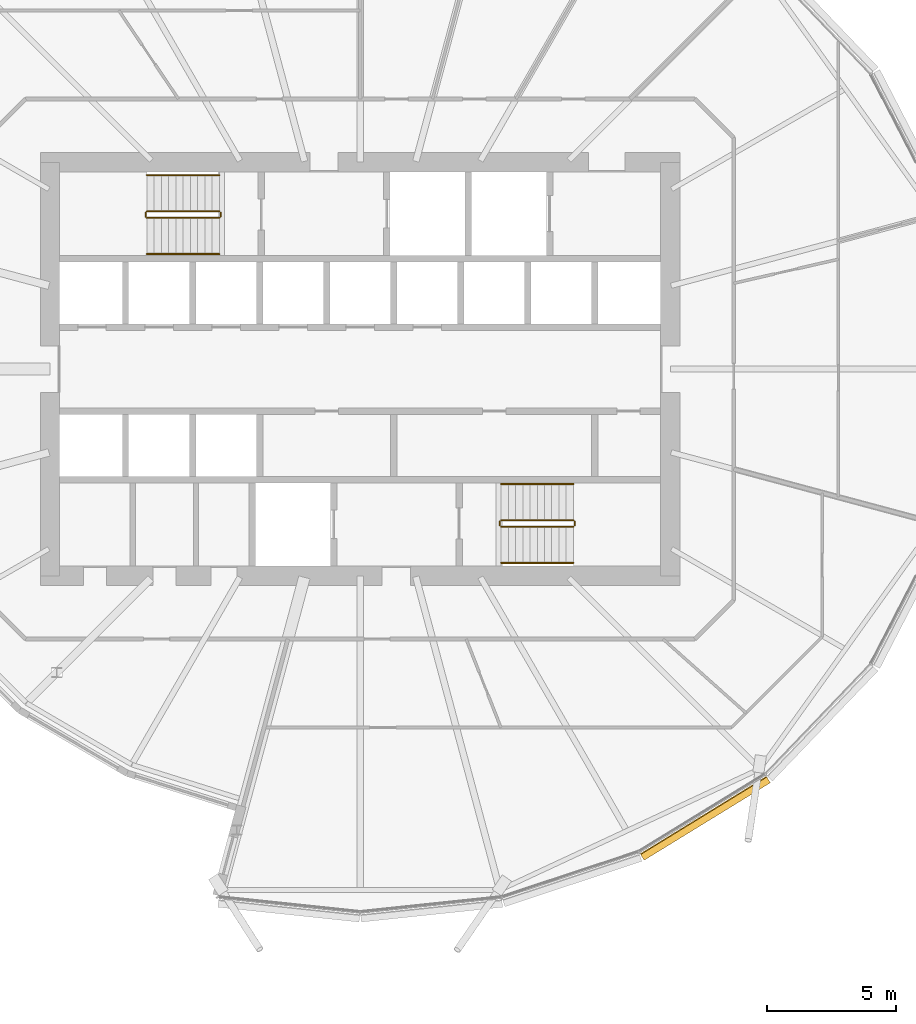
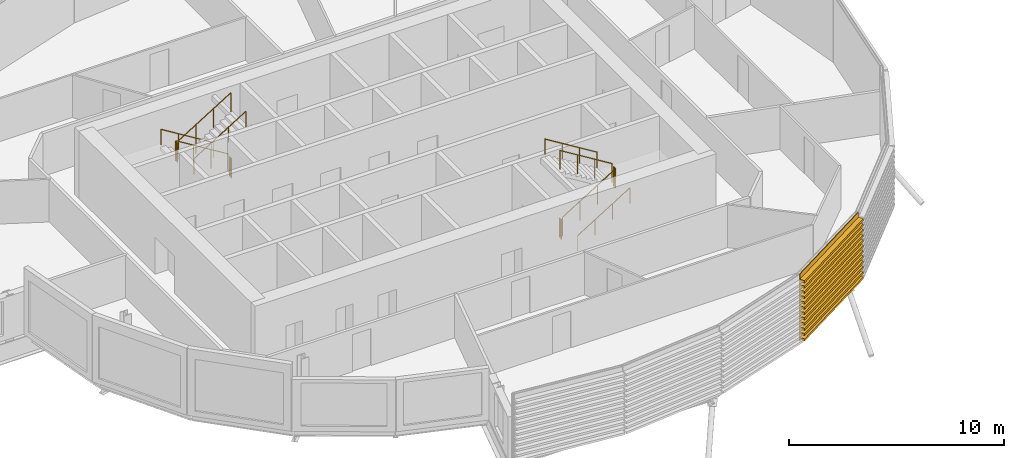
# One storey, part 35 of 39: 12 railings, 1 covering.
"""IFC4 building model written with IfcOpenShell, lengths in metres."""

from ifc_helpers import new_model, si_unit, direction, frame, origin, origin_2d, place, context, subcontext, project, spatial, polyline, circle, outline, extrude, material, material_profile, profile_set, type_object, element, save


model = new_model("IFC4")

# Units and contexts
model_context = context("Model", 3, precision=1e-05, world=origin(), true_north=direction((0.0, 1.0)))
body_context = subcontext(model_context, "Body", "Model", "MODEL_VIEW")
ifc_project = project(units=[si_unit("LENGTHUNIT", "METRE"), si_unit("AREAUNIT", "SQUARE_METRE"), si_unit("VOLUMEUNIT", "CUBIC_METRE"), si_unit("PLANEANGLEUNIT", "RADIAN"), si_unit("MASSUNIT", "GRAM", prefix="KILO")], contexts=[model_context])

# Site, building, storey
site_placement = place(None, origin())
site = spatial("IfcSite", under=ifc_project, at=site_placement, CompositionType="ELEMENT")
building_placement = place(site_placement, origin())
building = spatial("IfcBuilding", under=site, at=building_placement, Name="Rimbun Link Towers", CompositionType="ELEMENT")
storey_placement = place(building_placement, frame((0.0, 0.0, 100.60009765625)))
storey = spatial("IfcBuildingStorey", under=building, at=storey_placement, Name="L24", CompositionType="ELEMENT", Elevation=100.60009765625)

# Railings
ifc_material_1 = material(Name="Stainless steel grade 316", Category="steel")
railing_type_1 = type_object("IfcRailingType", Name="Stair guard", PredefinedType="GUARDRAIL", material=ifc_material_1)
railing_1_placement = place(storey_placement, frame((-37.199951171875, 6.10009765625, 0.172607421875)))
element("IfcRailing", 1, at=railing_1_placement, inside=storey, type_object=railing_type_1, Name="L24 ST1 stair guard 1", PredefinedType="GUARDRAIL", context=body_context, shape_type="SweptSolid", body=[
    extrude(circle(Radius=0.02392578125, at=origin_2d()), frame((0.0, 0.0, 1.076171875), z_axis=(-0.851089632645, 0.0, 0.525020415988), x_axis=(0.0, -1.0, 0.0)), (0.0, 0.0, 1.0), 3.2900390625),
    extrude(circle(Radius=0.02099609375, at=origin_2d()), origin(), (0.0, 0.0, 1.0), 1.052001953125),
    extrude(circle(Radius=0.02099609375, at=origin_2d()), frame((-0.933349609375, 0.0, 0.57568359375)), (0.0, 0.0, 1.0), 1.052001953125),
    extrude(circle(Radius=0.02099609375, at=origin_2d()), frame((-1.86669921875, 0.0, 1.151611328125)), (0.0, 0.0, 1.0), 1.052001953125),
    extrude(circle(Radius=0.02099609375, at=origin_2d()), frame((-2.800048828125, 0.0, 1.727294921875)), (0.0, 0.0, 1.0), 1.052001953125),
])
railing_2_placement = place(storey_placement, frame((-40.050048828125, 6.050048828125, 1.89990234375)))
element("IfcRailing", 2, at=railing_2_placement, inside=storey, type_object=railing_type_1, Name="L24 ST1 stair guard 2", PredefinedType="GUARDRAIL", context=body_context, shape_type="SweptSolid", body=[
    extrude(circle(Radius=0.02392578125, at=origin_2d()), frame((0.0, 0.0, 1.076171875), z_axis=(0.0, -1.0, 0.0), x_axis=(1.0, 0.0, 0.0)), (0.0, 0.0, 1.0), 0.150146484375),
    extrude(circle(Radius=0.02099609375, at=origin_2d()), origin(), (0.0, 0.0, 1.0), 1.052001953125),
    extrude(circle(Radius=0.02099609375, at=origin_2d()), frame((0.0, -0.150146484375, 0.0)), (0.0, 0.0, 1.0), 1.052001953125),
])
railing_3_placement = place(storey_placement, frame((-40.0, 5.85009765625, 2.072509765625)))
element("IfcRailing", 3, at=railing_3_placement, inside=storey, type_object=railing_type_1, Name="L24 ST1 stair guard 3", PredefinedType="GUARDRAIL", context=body_context, shape_type="SweptSolid", body=[
    extrude(circle(Radius=0.02392578125, at=origin_2d()), frame((0.0, 0.0, 1.076171875), z_axis=(0.851089632645, 0.0, 0.525020415988), x_axis=(0.0, 1.0, 0.0)), (0.0, 0.0, 1.0), 3.2900390625),
    extrude(circle(Radius=0.02099609375, at=origin_2d()), origin(), (0.0, 0.0, 1.0), 1.052001953125),
    extrude(circle(Radius=0.02099609375, at=origin_2d()), frame((0.933349609375, 0.0, 0.57568359375)), (0.0, 0.0, 1.0), 1.052001953125),
    extrude(circle(Radius=0.02099609375, at=origin_2d()), frame((1.86669921875, 0.0, 1.151611328125)), (0.0, 0.0, 1.0), 1.052001953125),
    extrude(circle(Radius=0.02099609375, at=origin_2d()), frame((2.800048828125, 0.0, 1.727294921875)), (0.0, 0.0, 1.0), 1.052001953125),
])
railing_4_placement = place(storey_placement, frame((-37.14990234375, 6.050048828125, 0.0)))
element("IfcRailing", 4, at=railing_4_placement, inside=storey, type_object=railing_type_1, Name="L24 ST1 stair guard 4", PredefinedType="GUARDRAIL", context=body_context, shape_type="SweptSolid", body=[
    extrude(circle(Radius=0.02392578125, at=origin_2d()), frame((0.0, 0.0, 1.076171875), z_axis=(0.0, -1.0, 0.0), x_axis=(1.0, 0.0, 0.0)), (0.0, 0.0, 1.0), 0.150146484375),
    extrude(circle(Radius=0.02099609375, at=origin_2d()), origin(), (0.0, 0.0, 1.0), 1.052001953125),
    extrude(circle(Radius=0.02099609375, at=origin_2d()), frame((0.0, -0.150146484375, 0.0)), (0.0, 0.0, 1.0), 1.052001953125),
])
railing_5_placement = place(storey_placement, frame((-26.300048828125, -6.10009765625, 0.172607421875)))
element("IfcRailing", 5, at=railing_5_placement, inside=storey, type_object=railing_type_1, Name="L24 ST2 stair guard 1", PredefinedType="GUARDRAIL", context=body_context, shape_type="SweptSolid", body=[
    extrude(circle(Radius=0.02392578125, at=origin_2d()), frame((0.0, 0.0, 1.076171875), z_axis=(0.851089632645, 0.0, 0.525020415988), x_axis=(0.0, 1.0, 0.0)), (0.0, 0.0, 1.0), 3.2900390625),
    extrude(circle(Radius=0.02099609375, at=origin_2d()), origin(), (0.0, 0.0, 1.0), 1.052001953125),
    extrude(circle(Radius=0.02099609375, at=origin_2d()), frame((0.933349609375, 0.0, 0.57568359375)), (0.0, 0.0, 1.0), 1.052001953125),
    extrude(circle(Radius=0.02099609375, at=origin_2d()), frame((1.86669921875, 0.0, 1.151611328125)), (0.0, 0.0, 1.0), 1.052001953125),
    extrude(circle(Radius=0.02099609375, at=origin_2d()), frame((2.800048828125, 0.0, 1.727294921875)), (0.0, 0.0, 1.0), 1.052001953125),
])
railing_6_placement = place(storey_placement, frame((-23.449951171875, -6.050048828125, 1.89990234375)))
element("IfcRailing", 6, at=railing_6_placement, inside=storey, type_object=railing_type_1, Name="L24 ST2 stair guard 2", PredefinedType="GUARDRAIL", context=body_context, shape_type="SweptSolid", body=[
    extrude(circle(Radius=0.02392578125, at=origin_2d()), frame((0.0, 0.0, 1.076171875), z_axis=(0.0, 1.0, 0.0), x_axis=(-1.0, 0.0, 0.0)), (0.0, 0.0, 1.0), 0.150146484375),
    extrude(circle(Radius=0.02099609375, at=origin_2d()), origin(), (0.0, 0.0, 1.0), 1.052001953125),
    extrude(circle(Radius=0.02099609375, at=origin_2d()), frame((0.0, 0.150146484375, 0.0)), (0.0, 0.0, 1.0), 1.052001953125),
])
railing_7_placement = place(storey_placement, frame((-23.5, -5.85009765625, 2.072509765625)))
element("IfcRailing", 7, at=railing_7_placement, inside=storey, type_object=railing_type_1, Name="L24 ST2 stair guard 3", PredefinedType="GUARDRAIL", context=body_context, shape_type="SweptSolid", body=[
    extrude(circle(Radius=0.02392578125, at=origin_2d()), frame((0.0, 0.0, 1.076171875), z_axis=(-0.851089632645, 0.0, 0.525020415988), x_axis=(0.0, -1.0, 0.0)), (0.0, 0.0, 1.0), 3.2900390625),
    extrude(circle(Radius=0.02099609375, at=origin_2d()), origin(), (0.0, 0.0, 1.0), 1.052001953125),
    extrude(circle(Radius=0.02099609375, at=origin_2d()), frame((-0.933349609375, 0.0, 0.57568359375)), (0.0, 0.0, 1.0), 1.052001953125),
    extrude(circle(Radius=0.02099609375, at=origin_2d()), frame((-1.86669921875, 0.0, 1.151611328125)), (0.0, 0.0, 1.0), 1.052001953125),
    extrude(circle(Radius=0.02099609375, at=origin_2d()), frame((-2.800048828125, 0.0, 1.727294921875)), (0.0, 0.0, 1.0), 1.052001953125),
])
railing_8_placement = place(storey_placement, frame((-26.35009765625, -6.050048828125, 0.0)))
element("IfcRailing", 8, at=railing_8_placement, inside=storey, type_object=railing_type_1, Name="L24 ST2 stair guard 4", PredefinedType="GUARDRAIL", context=body_context, shape_type="SweptSolid", body=[
    extrude(circle(Radius=0.02392578125, at=origin_2d()), frame((0.0, 0.0, 1.076171875), z_axis=(0.0, 1.0, 0.0), x_axis=(-1.0, 0.0, 0.0)), (0.0, 0.0, 1.0), 0.150146484375),
    extrude(circle(Radius=0.02099609375, at=origin_2d()), origin(), (0.0, 0.0, 1.0), 1.052001953125),
    extrude(circle(Radius=0.02099609375, at=origin_2d()), frame((0.0, 0.150146484375, 0.0)), (0.0, 0.0, 1.0), 1.052001953125),
])
ifc_material_2 = material(Name="Stainless steel grade 316", Category="steel")
railing_type_2 = type_object("IfcRailingType", Name="Stair handrail", PredefinedType="HANDRAIL", material=ifc_material_2)
railing_9_placement = place(storey_placement, frame((-37.199951171875, 7.5, 0.172607421875)))
element("IfcRailing", 9, at=railing_9_placement, inside=storey, type_object=railing_type_2, Name="L24 ST1 stair handrail 1", PredefinedType="HANDRAIL", context=body_context, shape_type="SweptSolid", body=[
    extrude(circle(Radius=0.02392578125, at=origin_2d()), frame((0.0, 0.0, 0.8759765625), z_axis=(-0.851089632645, 0.0, 0.525020415988), x_axis=(0.0, -1.0, 0.0)), (0.0, 0.0, 1.0), 3.2900390625),
    extrude(circle(Radius=0.02099609375, at=origin_2d()), origin(), (0.0, 0.0, 1.0), 0.851806640625),
    extrude(circle(Radius=0.02099609375, at=origin_2d()), frame((-0.933349609375, 0.0, 0.57568359375)), (0.0, 0.0, 1.0), 0.851806640625),
    extrude(circle(Radius=0.02099609375, at=origin_2d()), frame((-1.86669921875, 0.0, 1.151611328125)), (0.0, 0.0, 1.0), 0.851806640625),
    extrude(circle(Radius=0.02099609375, at=origin_2d()), frame((-2.800048828125, 0.0, 1.727294921875)), (0.0, 0.0, 1.0), 0.851806640625),
])
for number, where, name in (
    (10, (-40.0, 4.449951171875, 2.072509765625), "L24 ST1 stair handrail 2"),
    (11, (-26.300048828125, -7.5, 0.172607421875), "L24 ST2 stair handrail 1"),
):
    element("IfcRailing", number, at=place(storey_placement, frame(where)), inside=storey, type_object=railing_type_2, Name=name, PredefinedType="HANDRAIL", context=body_context, shape_type="SweptSolid", body=[
        extrude(circle(Radius=0.02392578125, at=origin_2d()), frame((0.0, 0.0, 0.8759765625), z_axis=(0.851089632645, 0.0, 0.525020415988), x_axis=(0.0, 1.0, 0.0)), (0.0, 0.0, 1.0), 3.2900390625),
        extrude(circle(Radius=0.02099609375, at=origin_2d()), origin(), (0.0, 0.0, 1.0), 0.851806640625),
        extrude(circle(Radius=0.02099609375, at=origin_2d()), frame((0.933349609375, 0.0, 0.57568359375)), (0.0, 0.0, 1.0), 0.851806640625),
        extrude(circle(Radius=0.02099609375, at=origin_2d()), frame((1.86669921875, 0.0, 1.151611328125)), (0.0, 0.0, 1.0), 0.851806640625),
        extrude(circle(Radius=0.02099609375, at=origin_2d()), frame((2.800048828125, 0.0, 1.727294921875)), (0.0, 0.0, 1.0), 0.851806640625),
    ])
railing_10_placement = place(storey_placement, frame((-23.5, -4.449951171875, 2.072509765625)))
element("IfcRailing", 12, at=railing_10_placement, inside=storey, type_object=railing_type_2, Name="L24 ST2 stair handrail 2", PredefinedType="HANDRAIL", context=body_context, shape_type="SweptSolid", body=[
    extrude(circle(Radius=0.02392578125, at=origin_2d()), frame((0.0, 0.0, 0.8759765625), z_axis=(-0.851089632645, 0.0, 0.525020415988), x_axis=(0.0, -1.0, 0.0)), (0.0, 0.0, 1.0), 3.2900390625),
    extrude(circle(Radius=0.02099609375, at=origin_2d()), origin(), (0.0, 0.0, 1.0), 0.851806640625),
    extrude(circle(Radius=0.02099609375, at=origin_2d()), frame((-0.933349609375, 0.0, 0.57568359375)), (0.0, 0.0, 1.0), 0.851806640625),
    extrude(circle(Radius=0.02099609375, at=origin_2d()), frame((-1.86669921875, 0.0, 1.151611328125)), (0.0, 0.0, 1.0), 0.851806640625),
    extrude(circle(Radius=0.02099609375, at=origin_2d()), frame((-2.800048828125, 0.0, 1.727294921875)), (0.0, 0.0, 1.0), 0.851806640625),
])

# Covering
ifc_material_3 = material(Name="Terracotta", Category="masonry")
ifc_material_profile = material_profile(ifc_material_3, outline(polyline([(0.123046875, 0.0), (0.1630859375, 0.0), (0.1630859375, 0.10009765625), (0.423095703125, 0.10009765625), (0.423095703125, 0.219970703125), (0.1630859375, 0.219970703125), (0.1630859375, 0.39990234375), (0.423095703125, 0.39990234375), (0.423095703125, 0.52001953125), (0.1630859375, 0.52001953125), (0.1630859375, 0.699951171875), (0.423095703125, 0.699951171875), (0.423095703125, 0.820068359375), (0.1630859375, 0.820068359375), (0.1630859375, 1.0), (0.423095703125, 1.0), (0.423095703125, 1.1201171875), (0.1630859375, 1.1201171875), (0.1630859375, 1.300048828125), (0.423095703125, 1.300048828125), (0.423095703125, 1.419921875), (0.1630859375, 1.419921875), (0.1630859375, 1.60009765625), (0.423095703125, 1.60009765625), (0.423095703125, 1.719970703125), (0.1630859375, 1.719970703125), (0.1630859375, 1.89990234375), (0.423095703125, 1.89990234375), (0.423095703125, 2.02001953125), (0.1630859375, 2.02001953125), (0.1630859375, 2.199951171875), (0.423095703125, 2.199951171875), (0.423095703125, 2.320068359375), (0.1630859375, 2.320068359375), (0.1630859375, 2.5), (0.423095703125, 2.5), (0.423095703125, 2.6201171875), (0.1630859375, 2.6201171875), (0.1630859375, 2.800048828125), (0.423095703125, 2.800048828125), (0.423095703125, 2.919921875), (0.1630859375, 2.919921875), (0.1630859375, 3.10009765625), (0.423095703125, 3.10009765625), (0.423095703125, 3.219970703125), (0.1630859375, 3.219970703125), (0.1630859375, 3.39990234375), (0.423095703125, 3.39990234375), (0.423095703125, 3.52001953125), (0.1630859375, 3.52001953125), (0.1630859375, 3.800048828125), (0.123046875, 3.800048828125), (0.123046875, 0.0)])), Name="BAGUETTE 120X300")
ifc_profile_set = profile_set([ifc_material_profile], Name="Terracotta")
covering_type = type_object("IfcCoveringType", Name="TERRACOTTA BAGUETTE 120X300 H3800", PredefinedType="CLADDING", material=ifc_profile_set)
covering_placement = place(storey_placement, frame((-16.102294921875, -15.647705078125, 0.0), z_axis=(-0.852203557922, -0.523210374386, 0.0), x_axis=(0.523210374386, -0.852203557922, 0.0)))
element("IfcCovering", 13, at=covering_placement, inside=storey, type_object=covering_type, Name="TERRACOTTA BAGUETTE", PredefinedType="CLADDING", context=body_context, shape_type="SweptSolid", body=[
    extrude(outline(polyline([(0.123046875, 0.0), (0.1630859375, 0.0), (0.1630859375, 0.10009765625), (0.423095703125, 0.10009765625), (0.423095703125, 0.219970703125), (0.1630859375, 0.219970703125), (0.1630859375, 0.39990234375), (0.423095703125, 0.39990234375), (0.423095703125, 0.52001953125), (0.1630859375, 0.52001953125), (0.1630859375, 0.699951171875), (0.423095703125, 0.699951171875), (0.423095703125, 0.820068359375), (0.1630859375, 0.820068359375), (0.1630859375, 1.0), (0.423095703125, 1.0), (0.423095703125, 1.1201171875), (0.1630859375, 1.1201171875), (0.1630859375, 1.300048828125), (0.423095703125, 1.300048828125), (0.423095703125, 1.419921875), (0.1630859375, 1.419921875), (0.1630859375, 1.60009765625), (0.423095703125, 1.60009765625), (0.423095703125, 1.719970703125), (0.1630859375, 1.719970703125), (0.1630859375, 1.89990234375), (0.423095703125, 1.89990234375), (0.423095703125, 2.02001953125), (0.1630859375, 2.02001953125), (0.1630859375, 2.199951171875), (0.423095703125, 2.199951171875), (0.423095703125, 2.320068359375), (0.1630859375, 2.320068359375), (0.1630859375, 2.5), (0.423095703125, 2.5), (0.423095703125, 2.6201171875), (0.1630859375, 2.6201171875), (0.1630859375, 2.800048828125), (0.423095703125, 2.800048828125), (0.423095703125, 2.919921875), (0.1630859375, 2.919921875), (0.1630859375, 3.10009765625), (0.423095703125, 3.10009765625), (0.423095703125, 3.219970703125), (0.1630859375, 3.219970703125), (0.1630859375, 3.39990234375), (0.423095703125, 3.39990234375), (0.423095703125, 3.52001953125), (0.1630859375, 3.52001953125), (0.1630859375, 3.800048828125), (0.123046875, 3.800048828125), (0.123046875, 0.0)])), origin(), (0.0, 0.0, 1.0), 5.729736328125),
])

save(model, "model.ifc")
